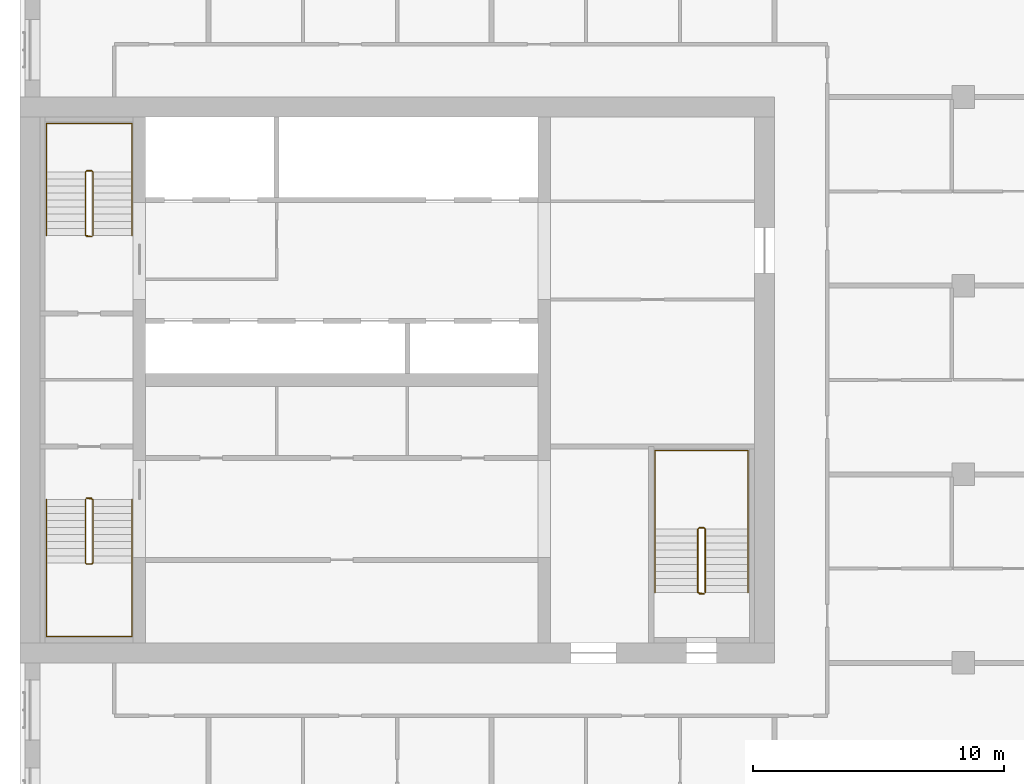
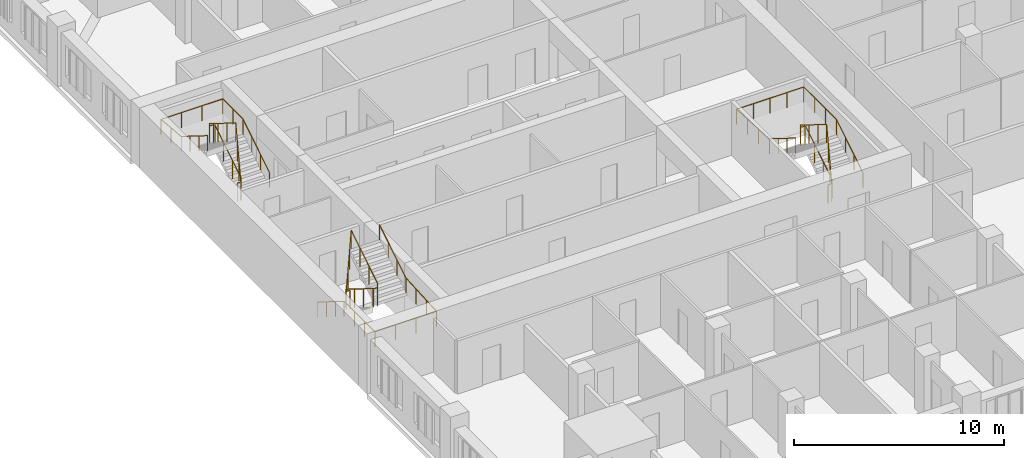
# One storey, part 14 of 14: 6 railings.
"""IFC4 building model written with IfcOpenShell, lengths in metres."""

from ifc_helpers import new_model, si_unit, direction, frame, origin, origin_2d, place, context, subcontext, project, spatial, circle, extrude, material, type_object, element, save


model = new_model("IFC4")

# Units and contexts
model_context = context("Model", 3, precision=1e-05, world=origin(), true_north=direction((0.0, 1.0)))
body_context = subcontext(model_context, "Body", "Model", "MODEL_VIEW")
ifc_project = project(units=[si_unit("LENGTHUNIT", "METRE"), si_unit("AREAUNIT", "SQUARE_METRE"), si_unit("VOLUMEUNIT", "CUBIC_METRE"), si_unit("PLANEANGLEUNIT", "RADIAN"), si_unit("MASSUNIT", "GRAM", prefix="KILO")], contexts=[model_context])

# Site, building, storey
site_placement = place(None, origin())
site = spatial("IfcSite", under=ifc_project, at=site_placement, CompositionType="ELEMENT")
building_placement = place(site_placement, origin())
building = spatial("IfcBuilding", under=site, at=building_placement, Name="Tamorin Gate", CompositionType="ELEMENT")
storey_placement = place(building_placement, frame((0.0, 0.0, 210.699951171875)))
storey = spatial("IfcBuildingStorey", under=building, at=storey_placement, Name="L52", CompositionType="ELEMENT", Elevation=210.699951171875)

# Railings
ifc_material_1 = material(Name="Painted steel balustrade", Category="steel")
railing_type_1 = type_object("IfcRailingType", Name="Stair guard 1100", PredefinedType="GUARDRAIL", material=ifc_material_1)
railing_1_placement = place(storey_placement, frame((32.60009765625, 66.5, 0.175048828125)))
element("IfcRailing", 1, at=railing_1_placement, inside=storey, type_object=railing_type_1, Name="L52 ST1 stair guard 1", PredefinedType="GUARDRAIL", context=body_context, shape_type="SweptSolid", body=[
    extrude(circle(Radius=0.02392578125, at=origin_2d()), frame((0.0, 0.0, 1.076171875), z_axis=(0.0, -0.848007534815, 0.529984170421), x_axis=(1.0, 0.0, 0.0)), (0.0, 0.0, 1.0), 2.9716796875),
    extrude(circle(Radius=0.02392578125, at=origin_2d()), frame((0.0, -2.52001953125, 2.65087890625), z_axis=(0.705375805398, -0.708833529934, 0.0), x_axis=(0.708833529934, 0.705375805398, 0.0)), (0.0, 0.0, 1.0), 0.070556640625),
    extrude(circle(Radius=0.02392578125, at=origin_2d()), frame((0.0498046875, -2.570068359375, 2.65087890625), z_axis=(1.0, 0.0, 0.0), x_axis=(0.0, 1.0, 0.0)), (0.0, 0.0, 1.0), 0.2001953125),
    extrude(circle(Radius=0.02392578125, at=origin_2d()), frame((0.25, -2.570068359375, 2.65087890625), z_axis=(0.263862480399, 0.265155923931, 0.927399011991), x_axis=(-0.708833529934, 0.705375805398, 0.0)), (0.0, 0.0, 1.0), 0.188720703125),
    extrude(circle(Radius=0.02392578125, at=origin_2d()), frame((0.2998046875, -2.52001953125, 2.826171875), z_axis=(0.0, 0.848007534815, 0.529984170421), x_axis=(-1.0, 0.0, 0.0)), (0.0, 0.0, 1.0), 2.9716796875),
    extrude(circle(Radius=0.02392578125, at=origin_2d()), frame((0.2998046875, 0.0, 4.40087890625), z_axis=(-0.071239803756, 0.014261874775, -0.997357252587), x_axis=(-0.196300278283, -0.98054382908, 0.0)), (0.0, 0.0, 1.0), 3.50927734375),
    extrude(circle(Radius=0.02392578125, at=origin_2d()), frame((0.0498046875, 0.050048828125, 0.90087890625), z_axis=(1.0, 0.0, 0.0), x_axis=(0.0, 1.0, 0.0)), (0.0, 0.0, 1.0), 0.2001953125),
    extrude(circle(Radius=0.02099609375, at=origin_2d()), origin(), (0.0, 0.0, 1.0), 1.052001953125),
    extrude(circle(Radius=0.02099609375, at=origin_2d()), frame((0.0, -0.840087890625, 0.52490234375)), (0.0, 0.0, 1.0), 1.052001953125),
    extrude(circle(Radius=0.02099609375, at=origin_2d()), frame((0.0, -1.679931640625, 1.050048828125)), (0.0, 0.0, 1.0), 1.052001953125),
    extrude(circle(Radius=0.02099609375, at=origin_2d()), frame((0.0, -2.52001953125, 1.574951171875)), (0.0, 0.0, 1.0), 1.052001953125),
    extrude(circle(Radius=0.02099609375, at=origin_2d()), frame((0.0498046875, -2.570068359375, 1.574951171875)), (0.0, 0.0, 1.0), 1.052001953125),
    extrude(circle(Radius=0.02099609375, at=origin_2d()), frame((0.25, -2.570068359375, 1.574951171875)), (0.0, 0.0, 1.0), 1.052001953125),
    extrude(circle(Radius=0.02099609375, at=origin_2d()), frame((0.2998046875, -2.52001953125, 1.75)), (0.0, 0.0, 1.0), 1.052001953125),
    extrude(circle(Radius=0.02099609375, at=origin_2d()), frame((0.2998046875, -1.679931640625, 2.27490234375)), (0.0, 0.0, 1.0), 1.052001953125),
    extrude(circle(Radius=0.02099609375, at=origin_2d()), frame((0.2998046875, -0.840087890625, 2.800048828125)), (0.0, 0.0, 1.0), 1.052001953125),
    extrude(circle(Radius=0.02099609375, at=origin_2d()), frame((0.2998046875, 0.0, 3.324951171875)), (0.0, 0.0, 1.0), 1.052001953125),
    extrude(circle(Radius=0.02099609375, at=origin_2d()), frame((0.216552734375, 0.0166015625, 2.158203125)), (0.0, 0.0, 1.0), 1.052001953125),
    extrude(circle(Radius=0.02099609375, at=origin_2d()), frame((0.133056640625, 0.033447265625, 0.99169921875)), (0.0, 0.0, 1.0), 1.052001953125),
    extrude(circle(Radius=0.02099609375, at=origin_2d()), frame((0.0498046875, 0.050048828125, -0.175048828125)), (0.0, 0.0, 1.0), 1.052001953125),
    extrude(circle(Radius=0.02099609375, at=origin_2d()), frame((0.25, 0.050048828125, -0.175048828125)), (0.0, 0.0, 1.0), 1.052001953125),
])
railing_2_placement = place(storey_placement, frame((32.89990234375, 77.0, 0.175048828125)))
element("IfcRailing", 2, at=railing_2_placement, inside=storey, type_object=railing_type_1, Name="L52 ST2 stair guard 1", PredefinedType="GUARDRAIL", context=body_context, shape_type="SweptSolid", body=[
    extrude(circle(Radius=0.02392578125, at=origin_2d()), frame((0.0, 0.0, 1.076171875), z_axis=(0.0, 0.848007534815, 0.529984170421), x_axis=(-1.0, 0.0, 0.0)), (0.0, 0.0, 1.0), 2.9716796875),
    extrude(circle(Radius=0.02392578125, at=origin_2d()), frame((0.0, 2.52001953125, 2.65087890625), z_axis=(-0.705375805398, 0.708833529934, 0.0), x_axis=(-0.708833529934, -0.705375805398, 0.0)), (0.0, 0.0, 1.0), 0.070556640625),
    extrude(circle(Radius=0.02392578125, at=origin_2d()), frame((-0.0498046875, 2.570068359375, 2.65087890625), z_axis=(-1.0, 0.0, 0.0), x_axis=(0.0, -1.0, 0.0)), (0.0, 0.0, 1.0), 0.2001953125),
    extrude(circle(Radius=0.02392578125, at=origin_2d()), frame((-0.25, 2.570068359375, 2.65087890625), z_axis=(-0.263862480399, -0.265155923931, 0.927399011991), x_axis=(0.708833529934, -0.705375805398, 0.0)), (0.0, 0.0, 1.0), 0.188720703125),
    extrude(circle(Radius=0.02392578125, at=origin_2d()), frame((-0.2998046875, 2.52001953125, 2.826171875), z_axis=(0.0, -0.848007534815, 0.529984170421), x_axis=(1.0, 0.0, 0.0)), (0.0, 0.0, 1.0), 2.9716796875),
    extrude(circle(Radius=0.02392578125, at=origin_2d()), frame((-0.2998046875, 0.0, 4.40087890625), z_axis=(0.071239803756, -0.014261874775, -0.997357252587), x_axis=(0.196300278283, 0.98054382908, 0.0)), (0.0, 0.0, 1.0), 3.50927734375),
    extrude(circle(Radius=0.02392578125, at=origin_2d()), frame((-0.0498046875, -0.050048828125, 0.90087890625), z_axis=(-1.0, 0.0, 0.0), x_axis=(0.0, -1.0, 0.0)), (0.0, 0.0, 1.0), 0.2001953125),
    extrude(circle(Radius=0.02099609375, at=origin_2d()), origin(), (0.0, 0.0, 1.0), 1.052001953125),
    extrude(circle(Radius=0.02099609375, at=origin_2d()), frame((0.0, 0.840087890625, 0.52490234375)), (0.0, 0.0, 1.0), 1.052001953125),
    extrude(circle(Radius=0.02099609375, at=origin_2d()), frame((0.0, 1.679931640625, 1.050048828125)), (0.0, 0.0, 1.0), 1.052001953125),
    extrude(circle(Radius=0.02099609375, at=origin_2d()), frame((0.0, 2.52001953125, 1.574951171875)), (0.0, 0.0, 1.0), 1.052001953125),
    extrude(circle(Radius=0.02099609375, at=origin_2d()), frame((-0.0498046875, 2.570068359375, 1.574951171875)), (0.0, 0.0, 1.0), 1.052001953125),
    extrude(circle(Radius=0.02099609375, at=origin_2d()), frame((-0.25, 2.570068359375, 1.574951171875)), (0.0, 0.0, 1.0), 1.052001953125),
    extrude(circle(Radius=0.02099609375, at=origin_2d()), frame((-0.2998046875, 2.52001953125, 1.75)), (0.0, 0.0, 1.0), 1.052001953125),
    extrude(circle(Radius=0.02099609375, at=origin_2d()), frame((-0.2998046875, 1.679931640625, 2.27490234375)), (0.0, 0.0, 1.0), 1.052001953125),
    extrude(circle(Radius=0.02099609375, at=origin_2d()), frame((-0.2998046875, 0.840087890625, 2.800048828125)), (0.0, 0.0, 1.0), 1.052001953125),
    extrude(circle(Radius=0.02099609375, at=origin_2d()), frame((-0.2998046875, 0.0, 3.324951171875)), (0.0, 0.0, 1.0), 1.052001953125),
    extrude(circle(Radius=0.02099609375, at=origin_2d()), frame((-0.216552734375, -0.0166015625, 2.158203125)), (0.0, 0.0, 1.0), 1.052001953125),
    extrude(circle(Radius=0.02099609375, at=origin_2d()), frame((-0.133056640625, -0.033447265625, 0.99169921875)), (0.0, 0.0, 1.0), 1.052001953125),
    extrude(circle(Radius=0.02099609375, at=origin_2d()), frame((-0.0498046875, -0.050048828125, -0.175048828125)), (0.0, 0.0, 1.0), 1.052001953125),
    extrude(circle(Radius=0.02099609375, at=origin_2d()), frame((-0.25, -0.050048828125, -0.175048828125)), (0.0, 0.0, 1.0), 1.052001953125),
])
railing_3_placement = place(storey_placement, frame((57.25, 62.800048828125, 0.175048828125)))
element("IfcRailing", 3, at=railing_3_placement, inside=storey, type_object=railing_type_1, Name="L52 ST3 stair guard 1", PredefinedType="GUARDRAIL", context=body_context, shape_type="SweptSolid", body=[
    extrude(circle(Radius=0.02392578125, at=origin_2d()), frame((0.0, 0.0, 1.076171875), z_axis=(0.0, 0.848007534815, 0.529984170421), x_axis=(-1.0, 0.0, 0.0)), (0.0, 0.0, 1.0), 2.9716796875),
    extrude(circle(Radius=0.02392578125, at=origin_2d()), frame((0.0, 2.52001953125, 2.65087890625), z_axis=(-0.707106781187, 0.707106781187, 0.0), x_axis=(-0.707106781187, -0.707106781187, 0.0)), (0.0, 0.0, 1.0), 0.07080078125),
    extrude(circle(Radius=0.02392578125, at=origin_2d()), frame((-0.050048828125, 2.570068359375, 2.65087890625), z_axis=(-1.0, 0.0, 0.0), x_axis=(0.0, -1.0, 0.0)), (0.0, 0.0, 1.0), 0.199951171875),
    extrude(circle(Radius=0.02392578125, at=origin_2d()), frame((-0.25, 2.570068359375, 2.65087890625), z_axis=(-0.265065253269, -0.265065253269, 0.927081885822), x_axis=(0.707106781187, -0.707106781187, 0.0)), (0.0, 0.0, 1.0), 0.188720703125),
    extrude(circle(Radius=0.02392578125, at=origin_2d()), frame((-0.300048828125, 2.52001953125, 2.826171875), z_axis=(0.0, -0.848007534815, 0.529984170421), x_axis=(1.0, 0.0, 0.0)), (0.0, 0.0, 1.0), 2.9716796875),
    extrude(circle(Radius=0.02392578125, at=origin_2d()), frame((-0.300048828125, 0.0, 4.40087890625), z_axis=(0.071239803756, -0.014261874775, -0.997357252587), x_axis=(0.196300278283, 0.98054382908, 0.0)), (0.0, 0.0, 1.0), 3.50927734375),
    extrude(circle(Radius=0.02392578125, at=origin_2d()), frame((-0.050048828125, -0.050048828125, 0.90087890625), z_axis=(-1.0, 0.0, 0.0), x_axis=(0.0, -1.0, 0.0)), (0.0, 0.0, 1.0), 0.199951171875),
    extrude(circle(Radius=0.02099609375, at=origin_2d()), origin(), (0.0, 0.0, 1.0), 1.052001953125),
    extrude(circle(Radius=0.02099609375, at=origin_2d()), frame((0.0, 0.840087890625, 0.52490234375)), (0.0, 0.0, 1.0), 1.052001953125),
    extrude(circle(Radius=0.02099609375, at=origin_2d()), frame((0.0, 1.679931640625, 1.050048828125)), (0.0, 0.0, 1.0), 1.052001953125),
    extrude(circle(Radius=0.02099609375, at=origin_2d()), frame((0.0, 2.52001953125, 1.574951171875)), (0.0, 0.0, 1.0), 1.052001953125),
    extrude(circle(Radius=0.02099609375, at=origin_2d()), frame((-0.050048828125, 2.570068359375, 1.574951171875)), (0.0, 0.0, 1.0), 1.052001953125),
    extrude(circle(Radius=0.02099609375, at=origin_2d()), frame((-0.25, 2.570068359375, 1.574951171875)), (0.0, 0.0, 1.0), 1.052001953125),
    extrude(circle(Radius=0.02099609375, at=origin_2d()), frame((-0.300048828125, 2.52001953125, 1.75)), (0.0, 0.0, 1.0), 1.052001953125),
    extrude(circle(Radius=0.02099609375, at=origin_2d()), frame((-0.300048828125, 1.679931640625, 2.27490234375)), (0.0, 0.0, 1.0), 1.052001953125),
    extrude(circle(Radius=0.02099609375, at=origin_2d()), frame((-0.300048828125, 0.840087890625, 2.800048828125)), (0.0, 0.0, 1.0), 1.052001953125),
    extrude(circle(Radius=0.02099609375, at=origin_2d()), frame((-0.300048828125, 0.0, 3.324951171875)), (0.0, 0.0, 1.0), 1.052001953125),
    extrude(circle(Radius=0.02099609375, at=origin_2d()), frame((-0.216796875, -0.0166015625, 2.158203125)), (0.0, 0.0, 1.0), 1.052001953125),
    extrude(circle(Radius=0.02099609375, at=origin_2d()), frame((-0.13330078125, -0.033447265625, 0.99169921875)), (0.0, 0.0, 1.0), 1.052001953125),
    extrude(circle(Radius=0.02099609375, at=origin_2d()), frame((-0.050048828125, -0.050048828125, -0.175048828125)), (0.0, 0.0, 1.0), 1.052001953125),
    extrude(circle(Radius=0.02099609375, at=origin_2d()), frame((-0.25, -0.050048828125, -0.175048828125)), (0.0, 0.0, 1.0), 1.052001953125),
])
ifc_material_2 = material(Name="Painted steel handrail", Category="steel")
railing_type_2 = type_object("IfcRailingType", Name="Stair handrail 900", PredefinedType="HANDRAIL", material=ifc_material_2)
railing_4_placement = place(storey_placement, frame((31.050048828125, 66.5, 0.175048828125)))
element("IfcRailing", 4, at=railing_4_placement, inside=storey, type_object=railing_type_2, Name="L52 ST1 stair handrail 1", PredefinedType="HANDRAIL", context=body_context, shape_type="SweptSolid", body=[
    extrude(circle(Radius=0.02392578125, at=origin_2d()), frame((0.0, 0.0, 0.8759765625), z_axis=(0.0, -0.848007534815, 0.529984170421), x_axis=(1.0, 0.0, 0.0)), (0.0, 0.0, 1.0), 2.9716796875),
    extrude(circle(Radius=0.02392578125, at=origin_2d()), frame((0.0, -2.52001953125, 2.45068359375), z_axis=(0.0, -1.0, 0.0), x_axis=(1.0, 0.0, 0.0)), (0.0, 0.0, 1.0), 2.929931640625),
    extrude(circle(Radius=0.02392578125, at=origin_2d()), frame((0.0, -5.449951171875, 2.45068359375), z_axis=(1.0, 0.0, 0.0), x_axis=(0.0, 1.0, 0.0)), (0.0, 0.0, 1.0), 3.39990234375),
    extrude(circle(Radius=0.02392578125, at=origin_2d()), frame((3.39990234375, -5.449951171875, 2.45068359375), z_axis=(0.0, 0.998220029962, 0.0596386769), x_axis=(-1.0, 0.0, 0.0)), (0.0, 0.0, 1.0), 2.93505859375),
    extrude(circle(Radius=0.02392578125, at=origin_2d()), frame((3.39990234375, -2.52001953125, 2.6259765625), z_axis=(0.0, 0.848007534815, 0.529984170421), x_axis=(-1.0, 0.0, 0.0)), (0.0, 0.0, 1.0), 2.9716796875),
    extrude(circle(Radius=0.02099609375, at=origin_2d()), origin(), (0.0, 0.0, 1.0), 0.851806640625),
    extrude(circle(Radius=0.02099609375, at=origin_2d()), frame((0.0, -0.840087890625, 0.52490234375)), (0.0, 0.0, 1.0), 0.851806640625),
    extrude(circle(Radius=0.02099609375, at=origin_2d()), frame((0.0, -1.679931640625, 1.050048828125)), (0.0, 0.0, 1.0), 0.851806640625),
    extrude(circle(Radius=0.02099609375, at=origin_2d()), frame((0.0, -2.52001953125, 1.574951171875)), (0.0, 0.0, 1.0), 0.851806640625),
    extrude(circle(Radius=0.02099609375, at=origin_2d()), frame((0.0, -3.49658203125, 1.574951171875)), (0.0, 0.0, 1.0), 0.851806640625),
    extrude(circle(Radius=0.02099609375, at=origin_2d()), frame((0.0, -4.473388671875, 1.574951171875)), (0.0, 0.0, 1.0), 0.851806640625),
    extrude(circle(Radius=0.02099609375, at=origin_2d()), frame((0.0, -5.449951171875, 1.574951171875)), (0.0, 0.0, 1.0), 0.851806640625),
    extrude(circle(Radius=0.02099609375, at=origin_2d()), frame((1.13330078125, -5.449951171875, 1.574951171875)), (0.0, 0.0, 1.0), 0.851806640625),
    extrude(circle(Radius=0.02099609375, at=origin_2d()), frame((2.2666015625, -5.449951171875, 1.574951171875)), (0.0, 0.0, 1.0), 0.851806640625),
    extrude(circle(Radius=0.02099609375, at=origin_2d()), frame((3.39990234375, -5.449951171875, 1.574951171875)), (0.0, 0.0, 1.0), 0.851806640625),
    extrude(circle(Radius=0.02099609375, at=origin_2d()), frame((3.39990234375, -4.473388671875, 1.63330078125)), (0.0, 0.0, 1.0), 0.851806640625),
    extrude(circle(Radius=0.02099609375, at=origin_2d()), frame((3.39990234375, -3.49658203125, 1.691650390625)), (0.0, 0.0, 1.0), 0.851806640625),
    extrude(circle(Radius=0.02099609375, at=origin_2d()), frame((3.39990234375, -2.52001953125, 1.75)), (0.0, 0.0, 1.0), 0.851806640625),
    extrude(circle(Radius=0.02099609375, at=origin_2d()), frame((3.39990234375, -1.679931640625, 2.27490234375)), (0.0, 0.0, 1.0), 0.851806640625),
    extrude(circle(Radius=0.02099609375, at=origin_2d()), frame((3.39990234375, -0.840087890625, 2.800048828125)), (0.0, 0.0, 1.0), 0.851806640625),
    extrude(circle(Radius=0.02099609375, at=origin_2d()), frame((3.39990234375, 0.0, 3.324951171875)), (0.0, 0.0, 1.0), 0.851806640625),
])
railing_5_placement = place(storey_placement, frame((34.449951171875, 77.0, 0.175048828125)))
element("IfcRailing", 5, at=railing_5_placement, inside=storey, type_object=railing_type_2, Name="L52 ST2 stair handrail 1", PredefinedType="HANDRAIL", context=body_context, shape_type="SweptSolid", body=[
    extrude(circle(Radius=0.02392578125, at=origin_2d()), frame((0.0, 0.0, 0.8759765625), z_axis=(0.0, 0.848007534815, 0.529984170421), x_axis=(-1.0, 0.0, 0.0)), (0.0, 0.0, 1.0), 2.9716796875),
    extrude(circle(Radius=0.02392578125, at=origin_2d()), frame((0.0, 2.52001953125, 2.45068359375), z_axis=(0.0, 1.0, 0.0), x_axis=(-1.0, 0.0, 0.0)), (0.0, 0.0, 1.0), 1.929931640625),
    extrude(circle(Radius=0.02392578125, at=origin_2d()), frame((0.0, 4.449951171875, 2.45068359375), z_axis=(-1.0, 0.0, 0.0), x_axis=(0.0, -1.0, 0.0)), (0.0, 0.0, 1.0), 3.39990234375),
    extrude(circle(Radius=0.02392578125, at=origin_2d()), frame((-3.39990234375, 4.449951171875, 2.45068359375), z_axis=(0.0, -0.995911773435, 0.090331276604), x_axis=(1.0, 0.0, 0.0)), (0.0, 0.0, 1.0), 1.937744140625),
    extrude(circle(Radius=0.02392578125, at=origin_2d()), frame((-3.39990234375, 2.52001953125, 2.6259765625), z_axis=(0.0, -0.848007534815, 0.529984170421), x_axis=(1.0, 0.0, 0.0)), (0.0, 0.0, 1.0), 2.9716796875),
    extrude(circle(Radius=0.02099609375, at=origin_2d()), origin(), (0.0, 0.0, 1.0), 0.851806640625),
    extrude(circle(Radius=0.02099609375, at=origin_2d()), frame((0.0, 0.840087890625, 0.52490234375)), (0.0, 0.0, 1.0), 0.851806640625),
    extrude(circle(Radius=0.02099609375, at=origin_2d()), frame((0.0, 1.679931640625, 1.050048828125)), (0.0, 0.0, 1.0), 0.851806640625),
    extrude(circle(Radius=0.02099609375, at=origin_2d()), frame((0.0, 2.52001953125, 1.574951171875)), (0.0, 0.0, 1.0), 0.851806640625),
    extrude(circle(Radius=0.02099609375, at=origin_2d()), frame((0.0, 3.48486328125, 1.574951171875)), (0.0, 0.0, 1.0), 0.851806640625),
    extrude(circle(Radius=0.02099609375, at=origin_2d()), frame((0.0, 4.449951171875, 1.574951171875)), (0.0, 0.0, 1.0), 0.851806640625),
    extrude(circle(Radius=0.02099609375, at=origin_2d()), frame((-1.13330078125, 4.449951171875, 1.574951171875)), (0.0, 0.0, 1.0), 0.851806640625),
    extrude(circle(Radius=0.02099609375, at=origin_2d()), frame((-2.2666015625, 4.449951171875, 1.574951171875)), (0.0, 0.0, 1.0), 0.851806640625),
    extrude(circle(Radius=0.02099609375, at=origin_2d()), frame((-3.39990234375, 4.449951171875, 1.574951171875)), (0.0, 0.0, 1.0), 0.851806640625),
    extrude(circle(Radius=0.02099609375, at=origin_2d()), frame((-3.39990234375, 3.48486328125, 1.66259765625)), (0.0, 0.0, 1.0), 0.851806640625),
    extrude(circle(Radius=0.02099609375, at=origin_2d()), frame((-3.39990234375, 2.52001953125, 1.75)), (0.0, 0.0, 1.0), 0.851806640625),
    extrude(circle(Radius=0.02099609375, at=origin_2d()), frame((-3.39990234375, 1.679931640625, 2.27490234375)), (0.0, 0.0, 1.0), 0.851806640625),
    extrude(circle(Radius=0.02099609375, at=origin_2d()), frame((-3.39990234375, 0.840087890625, 2.800048828125)), (0.0, 0.0, 1.0), 0.851806640625),
    extrude(circle(Radius=0.02099609375, at=origin_2d()), frame((-3.39990234375, 0.0, 3.324951171875)), (0.0, 0.0, 1.0), 0.851806640625),
])
railing_6_placement = place(storey_placement, frame((58.949951171875, 62.800048828125, 0.175048828125)))
element("IfcRailing", 6, at=railing_6_placement, inside=storey, type_object=railing_type_2, Name="L52 ST3 stair handrail 1", PredefinedType="HANDRAIL", context=body_context, shape_type="SweptSolid", body=[
    extrude(circle(Radius=0.02392578125, at=origin_2d()), frame((0.0, 0.0, 0.8759765625), z_axis=(0.0, 0.848007534815, 0.529984170421), x_axis=(-1.0, 0.0, 0.0)), (0.0, 0.0, 1.0), 2.9716796875),
    extrude(circle(Radius=0.02392578125, at=origin_2d()), frame((0.0, 2.52001953125, 2.45068359375), z_axis=(0.0, 1.0, 0.0), x_axis=(-1.0, 0.0, 0.0)), (0.0, 0.0, 1.0), 3.1298828125),
    extrude(circle(Radius=0.02392578125, at=origin_2d()), frame((0.0, 5.64990234375, 2.45068359375), z_axis=(-1.0, 0.0, 0.0), x_axis=(0.0, -1.0, 0.0)), (0.0, 0.0, 1.0), 3.699951171875),
    extrude(circle(Radius=0.02392578125, at=origin_2d()), frame((-3.699951171875, 5.64990234375, 2.45068359375), z_axis=(0.0, -0.998439675676, 0.055840970941), x_axis=(1.0, 0.0, 0.0)), (0.0, 0.0, 1.0), 3.134765625),
    extrude(circle(Radius=0.02392578125, at=origin_2d()), frame((-3.699951171875, 2.52001953125, 2.6259765625), z_axis=(0.0, -0.848007534815, 0.529984170421), x_axis=(1.0, 0.0, 0.0)), (0.0, 0.0, 1.0), 2.9716796875),
    extrude(circle(Radius=0.02099609375, at=origin_2d()), origin(), (0.0, 0.0, 1.0), 0.851806640625),
    extrude(circle(Radius=0.02099609375, at=origin_2d()), frame((0.0, 0.840087890625, 0.52490234375)), (0.0, 0.0, 1.0), 0.851806640625),
    extrude(circle(Radius=0.02099609375, at=origin_2d()), frame((0.0, 1.679931640625, 1.050048828125)), (0.0, 0.0, 1.0), 0.851806640625),
    extrude(circle(Radius=0.02099609375, at=origin_2d()), frame((0.0, 2.52001953125, 1.574951171875)), (0.0, 0.0, 1.0), 0.851806640625),
    extrude(circle(Radius=0.02099609375, at=origin_2d()), frame((0.0, 3.563232421875, 1.574951171875)), (0.0, 0.0, 1.0), 0.851806640625),
    extrude(circle(Radius=0.02099609375, at=origin_2d()), frame((0.0, 4.606689453125, 1.574951171875)), (0.0, 0.0, 1.0), 0.851806640625),
    extrude(circle(Radius=0.02099609375, at=origin_2d()), frame((0.0, 5.64990234375, 1.574951171875)), (0.0, 0.0, 1.0), 0.851806640625),
    extrude(circle(Radius=0.02099609375, at=origin_2d()), frame((-0.925048828125, 5.64990234375, 1.574951171875)), (0.0, 0.0, 1.0), 0.851806640625),
    extrude(circle(Radius=0.02099609375, at=origin_2d()), frame((-1.85009765625, 5.64990234375, 1.574951171875)), (0.0, 0.0, 1.0), 0.851806640625),
    extrude(circle(Radius=0.02099609375, at=origin_2d()), frame((-2.77490234375, 5.64990234375, 1.574951171875)), (0.0, 0.0, 1.0), 0.851806640625),
    extrude(circle(Radius=0.02099609375, at=origin_2d()), frame((-3.699951171875, 5.64990234375, 1.574951171875)), (0.0, 0.0, 1.0), 0.851806640625),
    extrude(circle(Radius=0.02099609375, at=origin_2d()), frame((-3.699951171875, 4.606689453125, 1.63330078125)), (0.0, 0.0, 1.0), 0.851806640625),
    extrude(circle(Radius=0.02099609375, at=origin_2d()), frame((-3.699951171875, 3.563232421875, 1.691650390625)), (0.0, 0.0, 1.0), 0.851806640625),
    extrude(circle(Radius=0.02099609375, at=origin_2d()), frame((-3.699951171875, 2.52001953125, 1.75)), (0.0, 0.0, 1.0), 0.851806640625),
    extrude(circle(Radius=0.02099609375, at=origin_2d()), frame((-3.699951171875, 1.679931640625, 2.27490234375)), (0.0, 0.0, 1.0), 0.851806640625),
    extrude(circle(Radius=0.02099609375, at=origin_2d()), frame((-3.699951171875, 0.840087890625, 2.800048828125)), (0.0, 0.0, 1.0), 0.851806640625),
    extrude(circle(Radius=0.02099609375, at=origin_2d()), frame((-3.699951171875, 0.0, 3.324951171875)), (0.0, 0.0, 1.0), 0.851806640625),
])

save(model, "model.ifc")
